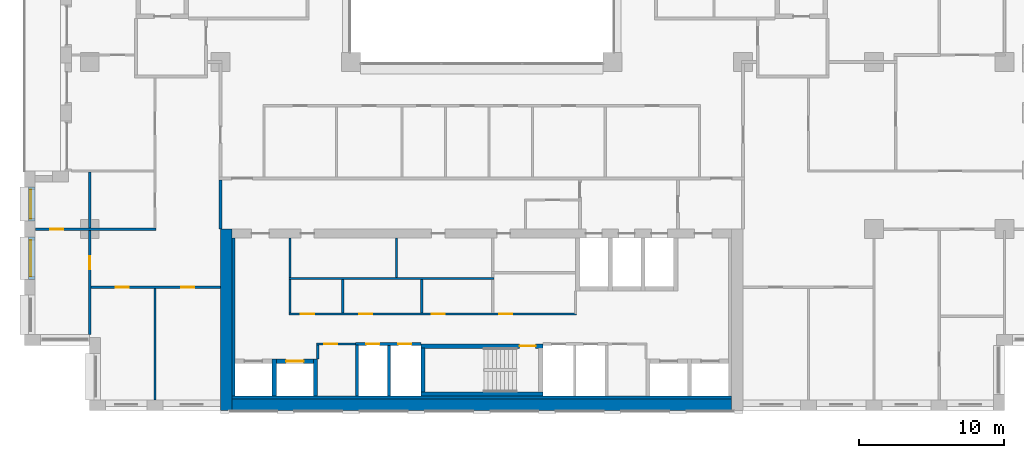
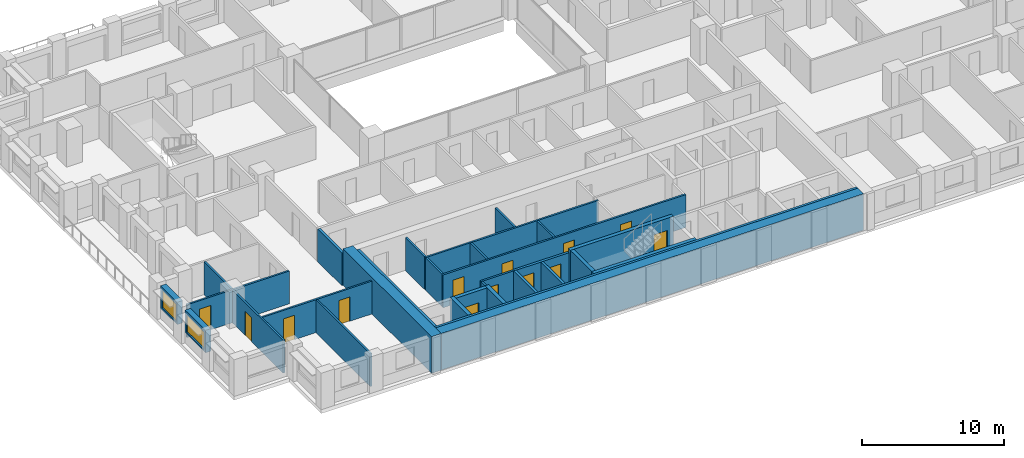
# One storey, part 8 of 16: 30 walls, 13 doors, 2 windows, 15 openings.
"""IFC4 building model written with IfcOpenShell, lengths in metres."""

from ifc_helpers import new_model, si_unit, direction, frame, frame_2d, origin, place, context, subcontext, project, spatial, rectangle, extrude, material, layer, layer_set, type_object, element, fill, save


model = new_model("IFC4")

# Units and contexts
model_context = context("Model", 3, precision=1e-05, world=origin(), true_north=direction((0.0, 1.0)))
body_context = subcontext(model_context, "Body", "Model", "MODEL_VIEW")
ifc_project = project(units=[si_unit("LENGTHUNIT", "METRE"), si_unit("AREAUNIT", "SQUARE_METRE"), si_unit("VOLUMEUNIT", "CUBIC_METRE"), si_unit("PLANEANGLEUNIT", "RADIAN"), si_unit("MASSUNIT", "GRAM", prefix="KILO")], contexts=[model_context])

# Site, building, storey
site_placement = place(None, origin())
site = spatial("IfcSite", under=ifc_project, at=site_placement, CompositionType="ELEMENT")
building_placement = place(site_placement, origin())
building = spatial("IfcBuilding", under=site, at=building_placement, Name="Brigalow Station Residences", CompositionType="ELEMENT")
storey_placement = place(building_placement, frame((0.0, 0.0, 102.449951171875)))
storey = spatial("IfcBuildingStorey", under=building, at=storey_placement, Name="L29", CompositionType="ELEMENT", Elevation=102.449951171875)

# Wall, opening, window
ifc_material_1 = material(Name="Clay brick masonry", Category="masonry")
ifc_layer_1 = layer(ifc_material_1, 0.449951171875)
ifc_layer_set_1 = layer_set([ifc_layer_1], Name="BRICK INFILL WALL 450")
wall_type_1 = type_object("IfcWallType", Name="BRICK INFILL WALL 450", PredefinedType="SOLIDWALL", material=ifc_layer_set_1)
wall_1_placement = place(storey_placement, frame((5.02490234375, 15.39990234375, 0.900146484375), z_axis=(0.0, 0.0, 1.0), x_axis=(0.0, -1.0, 0.0)))
wall_1 = element("IfcWall", 1, at=wall_1_placement, inside=storey, type_object=wall_type_1, Name="L29/ewall/W-L29-47", PredefinedType="SOLIDWALL", context=body_context, shape_type="SweptSolid", body=[
    extrude(rectangle(XDim=2.349853515625, YDim=0.449951171875, at=frame_2d((1.1748046875, 0.0))), origin(), (0.0, 0.0, 1.0), 1.929931640625),
])
opening_1_placement = place(wall_1_placement, frame((0.175048828125, 0.0, 0.14990234375)))
opening_1 = element("IfcOpeningElement", 2, at=opening_1_placement, cuts=wall_1, Name="Opening WT-7", PredefinedType="OPENING", context=body_context, shape_type="SweptSolid", body=[
    extrude(rectangle(XDim=2.0, YDim=1.5, at=frame_2d((1.0, 0.75))), frame((0.0, 0.23486328125, 0.0), z_axis=(0.0, -1.0, 0.0), x_axis=(1.0, 0.0, 0.0)), (0.0, 0.0, 1.0), 0.469970703125),
])
ifc_material_2 = material(Name="Anodised aluminium frame with double glazing", Category="aluminium")
window_type_1 = type_object("IfcWindowType", Name="WINDOW 2000x1500", PartitioningType="SINGLE_PANEL", PredefinedType="WINDOW", material=ifc_material_2)
window_1_placement = place(opening_1_placement, origin())
window_1 = element("IfcWindow", 3, at=window_1_placement, inside=storey, type_object=window_type_1, Name="L29/window/W-L29-47", OverallHeight=1.5, OverallWidth=2.0, PartitioningType="SINGLE_PANEL", PredefinedType="WINDOW", context=body_context, shape_type="SweptSolid", body=[
    extrude(rectangle(XDim=2.0, YDim=1.5, at=frame_2d((1.0, 0.75))), frame((0.0, -0.06494140625, 0.0), z_axis=(0.0, -1.0, 0.0), x_axis=(1.0, 0.0, 0.0)), (0.0, 0.0, 1.0), 0.06005859375),
])
fill(opening_1, window_1)

wall_2_placement = place(storey_placement, frame((5.02490234375, 11.949951171875, 0.900146484375), z_axis=(0.0, 0.0, 1.0), x_axis=(0.0, -1.0, 0.0)))
wall_2 = element("IfcWall", 4, at=wall_2_placement, inside=storey, type_object=wall_type_1, Name="L29/ewall/W-L29-48", PredefinedType="SOLIDWALL", context=body_context, shape_type="SweptSolid", body=[
    extrude(rectangle(XDim=2.89990234375, YDim=0.449951171875, at=frame_2d((1.449951171875, 0.0))), origin(), (0.0, 0.0, 1.0), 1.929931640625),
])
opening_2_placement = place(wall_2_placement, frame((0.199951171875, 0.0, 0.14990234375)))
opening_2 = element("IfcOpeningElement", 5, at=opening_2_placement, cuts=wall_2, Name="Opening WT-5", PredefinedType="OPENING", context=body_context, shape_type="SweptSolid", body=[
    extrude(rectangle(XDim=2.5, YDim=1.5, at=frame_2d((1.25, 0.75))), frame((0.0, 0.23486328125, 0.0), z_axis=(0.0, -1.0, 0.0), x_axis=(1.0, 0.0, 0.0)), (0.0, 0.0, 1.0), 0.469970703125),
])
ifc_material_3 = material(Name="Anodised aluminium frame with double glazing", Category="aluminium")
window_type_2 = type_object("IfcWindowType", Name="WINDOW 2500x1500", PartitioningType="SINGLE_PANEL", PredefinedType="WINDOW", material=ifc_material_3)
window_2_placement = place(opening_2_placement, origin())
window_2 = element("IfcWindow", 6, at=window_2_placement, inside=storey, type_object=window_type_2, Name="L29/window/W-L29-48", OverallHeight=1.5, OverallWidth=2.5, PartitioningType="SINGLE_PANEL", PredefinedType="WINDOW", context=body_context, shape_type="SweptSolid", body=[
    extrude(rectangle(XDim=2.5, YDim=1.5, at=frame_2d((1.25, 0.75))), frame((0.0, -0.06494140625, 0.0), z_axis=(0.0, -1.0, 0.0), x_axis=(1.0, 0.0, 0.0)), (0.0, 0.0, 1.0), 0.06005859375),
])
fill(opening_2, window_2)

# Walls
ifc_material_4 = material(Name="Concrete C65", Category="concrete")
ifc_layer_2 = layer(ifc_material_4, 0.199951171875)
ifc_layer_set_2 = layer_set([ifc_layer_2], Name="CORE SHEAR WALL 200 C65")
wall_type_2 = type_object("IfcWallType", Name="CORE SHEAR WALL 200 C65", PredefinedType="SHEAR", material=ifc_layer_set_2)
wall_3_placement = place(storey_placement, frame((18.89990234375, 1.0, 0.0), z_axis=(0.0, 0.0, 1.0), x_axis=(0.0, 1.0, 0.0)))
element("IfcWall", 7, at=wall_3_placement, inside=storey, type_object=wall_type_2, Name="CORE WALL LIN-W L29", PredefinedType="SHEAR", context=body_context, shape_type="SweptSolid", body=[
    extrude(rectangle(XDim=10.89990234375, YDim=0.199951171875, at=frame_2d((5.449951171875, 0.0))), origin(), (0.0, 0.0, 1.0), 3.150146484375),
])
wall_4_placement = place(storey_placement, frame((18.800048828125, 0.89990234375, 0.0), z_axis=(0.0, 0.0, 1.0), x_axis=(1.0, 0.0, 0.0)))
element("IfcWall", 8, at=wall_4_placement, inside=storey, type_object=wall_type_2, Name="CORE WALL LIN-S L29", PredefinedType="SHEAR", context=body_context, shape_type="SweptSolid", body=[
    extrude(rectangle(XDim=34.39990234375, YDim=0.199951171875, at=frame_2d((17.199951171875, 0.0))), origin(), (0.0, 0.0, 1.0), 3.150146484375),
])

# Wall, opening, door
ifc_material_5 = material(Name="Concrete C65", Category="concrete")
ifc_layer_3 = layer(ifc_material_5, 0.300048828125)
ifc_layer_set_3 = layer_set([ifc_layer_3], Name="CORE SHEAR WALL 300 C65")
wall_type_3 = type_object("IfcWallType", Name="CORE SHEAR WALL 300 C65", PredefinedType="SHEAR", material=ifc_layer_set_3)
wall_5_placement = place(storey_placement, frame((21.85009765625, 3.39990234375, 0.0), z_axis=(0.0, 0.0, 1.0), x_axis=(1.0, 0.0, 0.0)))
wall_5 = element("IfcWall", 9, at=wall_5_placement, inside=storey, type_object=wall_type_3, Name="CORE WALL SH-C2-N L29", PredefinedType="SHEAR", context=body_context, shape_type="SweptSolid", body=[
    extrude(rectangle(XDim=2.5498046875, YDim=0.300048828125, at=frame_2d((1.27490234375, 0.0))), origin(), (0.0, 0.0, 1.0), 3.150146484375),
])
opening_3_placement = place(wall_5_placement, frame((0.675048828125, 0.0, 0.0)))
opening_3 = element("IfcOpeningElement", 10, at=opening_3_placement, cuts=wall_5, Name="Opening LD-LB2", PredefinedType="OPENING", context=body_context, shape_type="SweptSolid", body=[
    extrude(rectangle(XDim=1.199951171875, YDim=2.10009765625, at=frame_2d((0.60009765625, 1.050048828125))), frame((0.0, 0.16015625, 0.0), z_axis=(0.0, -1.0, 0.0), x_axis=(1.0, 0.0, 0.0)), (0.0, 0.0, 1.0), 0.320068359375),
])
ifc_material_6 = material(Name="Stainless steel sliding door leaves", Category="steel")
door_type_1 = type_object("IfcDoorType", Name="LIFT LANDING DOOR 1200 x 2100", OperationType="DOUBLE_DOOR_SLIDING", PredefinedType="DOOR", material=ifc_material_6)
door_1_placement = place(opening_3_placement, origin())
door_1 = element("IfcDoor", 11, at=door_1_placement, inside=storey, type_object=door_type_1, Name="LANDING DOOR LB2", OperationType="DOUBLE_DOOR_SLIDING", OverallHeight=2.10009765625, OverallWidth=1.199951171875, PredefinedType="DOOR", context=body_context, shape_type="SweptSolid", body=[
    extrude(rectangle(XDim=1.199951171875, YDim=2.10009765625, at=frame_2d((0.60009765625, 1.050048828125))), frame((0.0, 0.02490234375, 0.0), z_axis=(0.0, -1.0, 0.0), x_axis=(1.0, 0.0, 0.0)), (0.0, 0.0, 1.0), 0.050048828125),
])
fill(opening_3, door_1)

# Walls
for number, where, z_axis, x_axis, name in (
    (12, (21.699951171875, 1.0, 0.0), (0.0, 0.0, 1.0), (0.0, 1.0, 0.0), "CORE WALL SH-C2-W L29"),
    (13, (24.550048828125, 1.0, 0.0), (0.0, 0.0, 1.0), (0.0, 1.0, 0.0), "CORE WALL SH-C2-E L29"),
):
    element("IfcWall", number, at=place(storey_placement, frame(where, z_axis=z_axis, x_axis=x_axis)), inside=storey, type_object=wall_type_3, Name=name, PredefinedType="SHEAR", context=body_context, shape_type="SweptSolid", body=[
        extrude(rectangle(XDim=2.550048828125, YDim=0.300048828125, at=frame_2d((1.27490234375, 0.0))), origin(), (0.0, 0.0, 1.0), 3.150146484375),
    ])
wall_6_placement = place(storey_placement, frame((31.800048828125, 1.14990234375, 0.0), z_axis=(0.0, 0.0, 1.0), x_axis=(1.0, 0.0, 0.0)))
element("IfcWall", 14, at=wall_6_placement, inside=storey, type_object=wall_type_3, Name="CORE WALL ST-S2-S L29", PredefinedType="SHEAR", context=body_context, shape_type="SweptSolid", body=[
    extrude(rectangle(XDim=8.39990234375, YDim=0.300048828125, at=frame_2d((4.199951171875, 0.0))), origin(), (0.0, 0.0, 1.0), 3.150146484375),
])

# Wall, opening, door
wall_7_placement = place(storey_placement, frame((31.800048828125, 4.449951171875, 0.0), z_axis=(0.0, 0.0, 1.0), x_axis=(1.0, 0.0, 0.0)))
wall_7 = element("IfcWall", 15, at=wall_7_placement, inside=storey, type_object=wall_type_3, Name="CORE WALL ST-S2-N L29", PredefinedType="SHEAR", context=body_context, shape_type="SweptSolid", body=[
    extrude(rectangle(XDim=8.39990234375, YDim=0.300048828125, at=frame_2d((4.199951171875, 0.0))), origin(), (0.0, 0.0, 1.0), 3.150146484375),
])
opening_4_placement = place(wall_7_placement, frame((6.800048828125, 0.0, 0.0)))
opening_4 = element("IfcOpeningElement", 16, at=opening_4_placement, cuts=wall_7, Name="Opening D-5001", PredefinedType="OPENING", context=body_context, shape_type="SweptSolid", body=[
    extrude(rectangle(XDim=1.10009765625, YDim=2.10009765625, at=frame_2d((0.550048828125, 1.050048828125))), frame((0.0, 0.16015625, 0.0), z_axis=(0.0, -1.0, 0.0), x_axis=(1.0, 0.0, 0.0)), (0.0, 0.0, 1.0), 0.320068359375),
])
ifc_material_7 = material(Name="Steel fire door leaf in steel frame", Category="steel")
door_type_2 = type_object("IfcDoorType", Name="STAIR DOOR 1100 x 2100 FD60S", OperationType="SINGLE_SWING_LEFT", PredefinedType="DOOR", material=ifc_material_7)
door_2_placement = place(opening_4_placement, frame((1.10009765625, 0.0, 0.0), z_axis=(0.0, 0.0, 1.0), x_axis=(-1.0, 0.0, 0.0)))
door_2 = element("IfcDoor", 17, at=door_2_placement, inside=storey, type_object=door_type_2, Name="D-5001", OperationType="SINGLE_SWING_LEFT", OverallHeight=2.10009765625, OverallWidth=1.10009765625, PredefinedType="DOOR", context=body_context, shape_type="SweptSolid", body=[
    extrude(rectangle(XDim=1.10009765625, YDim=2.10009765625, at=frame_2d((0.550048828125, 1.050048828125))), frame((0.0, 0.02490234375, 0.0), z_axis=(0.0, -1.0, 0.0), x_axis=(1.0, 0.0, 0.0)), (0.0, 0.0, 1.0), 0.050048828125),
])
fill(opening_4, door_2)

# Walls
wall_8_placement = place(storey_placement, frame((31.949951171875, 1.300048828125, 0.0), z_axis=(0.0, 0.0, 1.0), x_axis=(0.0, 1.0, 0.0)))
element("IfcWall", 18, at=wall_8_placement, inside=storey, type_object=wall_type_3, Name="CORE WALL ST-S2-W L29", PredefinedType="SHEAR", context=body_context, shape_type="SweptSolid", body=[
    extrude(rectangle(XDim=3.0, YDim=0.300048828125, at=frame_2d((1.5, 0.0))), origin(), (0.0, 0.0, 1.0), 3.150146484375),
])
ifc_material_8 = material(Name="Concrete C65", Category="concrete")
ifc_layer_4 = layer(ifc_material_8, 0.800048828125)
ifc_layer_set_4 = layer_set([ifc_layer_4], Name="CORE SHEAR WALL 800 C65")
wall_type_4 = type_object("IfcWallType", Name="CORE SHEAR WALL 800 C65", PredefinedType="SHEAR", material=ifc_layer_set_4)
wall_9_placement = place(storey_placement, frame((18.39990234375, 0.0, 0.0), z_axis=(0.0, 0.0, 1.0), x_axis=(0.0, 1.0, 0.0)))
element("IfcWall", 19, at=wall_9_placement, inside=storey, type_object=wall_type_4, Name="CORE WALL OUT-W L29", PredefinedType="SHEAR", context=body_context, shape_type="SweptSolid", body=[
    extrude(rectangle(XDim=12.5, YDim=0.800048828125, at=frame_2d((6.25, 0.0))), origin(), (0.0, 0.0, 1.0), 3.150146484375),
])
wall_10_placement = place(storey_placement, frame((18.800048828125, 0.39990234375, 0.0), z_axis=(0.0, 0.0, 1.0), x_axis=(1.0, 0.0, 0.0)))
element("IfcWall", 20, at=wall_10_placement, inside=storey, type_object=wall_type_4, Name="CORE WALL OUT-S L29", PredefinedType="SHEAR", context=body_context, shape_type="SweptSolid", body=[
    extrude(rectangle(XDim=34.39990234375, YDim=0.800048828125, at=frame_2d((17.199951171875, 0.0))), origin(), (0.0, 0.0, 1.0), 3.150146484375),
])

# Wall, openings, doors
ifc_material_9 = material(Name="Concrete blockwork", Category="masonry")
ifc_layer_5 = layer(ifc_material_9, 0.199951171875)
ifc_layer_set_5 = layer_set([ifc_layer_5], Name="FIRE RATED CORE PARTITION 200")
wall_type_5 = type_object("IfcWallType", Name="FIRE RATED CORE PARTITION 200", PredefinedType="PARTITIONING", material=ifc_layer_set_5)
wall_11_placement = place(storey_placement, frame((27.300048828125, 4.60009765625, 0.0), z_axis=(0.0, 0.0, 1.0), x_axis=(1.0, 0.0, 0.0)))
wall_11 = element("IfcWall", 21, at=wall_11_placement, inside=storey, type_object=wall_type_5, Name="PW-5017", PredefinedType="PARTITIONING", context=body_context, shape_type="SweptSolid", body=[
    extrude(rectangle(XDim=4.5, YDim=0.199951171875, at=frame_2d((2.25, 0.0))), origin(), (0.0, 0.0, 1.0), 2.830078125),
])
opening_5_placement = place(wall_11_placement, frame((0.75, 0.0, 0.0)))
opening_5 = element("IfcOpeningElement", 22, at=opening_5_placement, cuts=wall_11, Name="Opening D-5007", PredefinedType="OPENING", context=body_context, shape_type="SweptSolid", body=[
    extrude(rectangle(XDim=0.89990234375, YDim=2.10009765625, at=frame_2d((0.449951171875, 1.050048828125))), frame((0.0, 0.10986328125, 0.0), z_axis=(0.0, -1.0, 0.0), x_axis=(1.0, 0.0, 0.0)), (0.0, 0.0, 1.0), 0.219970703125),
])
opening_6_placement = place(wall_11_placement, frame((2.949951171875, 0.0, 0.0)))
opening_6 = element("IfcOpeningElement", 23, at=opening_6_placement, cuts=wall_11, Name="Opening D-5008", PredefinedType="OPENING", context=body_context, shape_type="SweptSolid", body=[
    extrude(rectangle(XDim=0.89990234375, YDim=2.10009765625, at=frame_2d((0.449951171875, 1.050048828125))), frame((0.0, 0.10986328125, 0.0), z_axis=(0.0, -1.0, 0.0), x_axis=(1.0, 0.0, 0.0)), (0.0, 0.0, 1.0), 0.219970703125),
])
ifc_material_10 = material(Name="Steel fire door leaf in steel frame", Category="steel")
door_type_3 = type_object("IfcDoorType", Name="RISER ACCESS DOOR 900 x 2100 FD120", OperationType="SINGLE_SWING_LEFT", PredefinedType="DOOR", material=ifc_material_10)
door_3_placement = place(opening_5_placement, frame((0.89990234375, 0.0, 0.0), z_axis=(0.0, 0.0, 1.0), x_axis=(-1.0, 0.0, 0.0)))
door_3 = element("IfcDoor", 24, at=door_3_placement, inside=storey, type_object=door_type_3, Name="D-5007", OperationType="SINGLE_SWING_RIGHT", OverallHeight=2.10009765625, OverallWidth=0.89990234375, PredefinedType="DOOR", context=body_context, shape_type="SweptSolid", body=[
    extrude(rectangle(XDim=0.89990234375, YDim=2.10009765625, at=frame_2d((0.449951171875, 1.050048828125))), frame((0.0, 0.02490234375, 0.0), z_axis=(0.0, -1.0, 0.0), x_axis=(1.0, 0.0, 0.0)), (0.0, 0.0, 1.0), 0.050048828125),
])
fill(opening_5, door_3)
door_4_placement = place(opening_6_placement, frame((0.89990234375, 0.0, 0.0), z_axis=(0.0, 0.0, 1.0), x_axis=(-1.0, 0.0, 0.0)))
door_4 = element("IfcDoor", 25, at=door_4_placement, inside=storey, type_object=door_type_3, Name="D-5008", OperationType="SINGLE_SWING_RIGHT", OverallHeight=2.10009765625, OverallWidth=0.89990234375, PredefinedType="DOOR", context=body_context, shape_type="SweptSolid", body=[
    extrude(rectangle(XDim=0.89990234375, YDim=2.10009765625, at=frame_2d((0.449951171875, 1.050048828125))), frame((0.0, 0.02490234375, 0.0), z_axis=(0.0, -1.0, 0.0), x_axis=(1.0, 0.0, 0.0)), (0.0, 0.0, 1.0), 0.050048828125),
])
fill(opening_6, door_4)

# Walls
wall_12_placement = place(storey_placement, frame((27.39990234375, 1.0, 0.0), z_axis=(0.0, 0.0, 1.0), x_axis=(0.0, 1.0, 0.0)))
element("IfcWall", 26, at=wall_12_placement, inside=storey, type_object=wall_type_5, Name="PW-5027", PredefinedType="PARTITIONING", context=body_context, shape_type="SweptSolid", body=[
    extrude(rectangle(XDim=3.52490234375, YDim=0.199951171875, at=frame_2d((1.762451171875, 0.0))), origin(), (0.0, 0.0, 1.0), 2.830078125),
])
wall_13_placement = place(storey_placement, frame((29.60009765625, 1.0, 0.0), z_axis=(0.0, 0.0, 1.0), x_axis=(0.0, 1.0, 0.0)))
element("IfcWall", 27, at=wall_13_placement, inside=storey, type_object=wall_type_5, Name="PW-5006", PredefinedType="PARTITIONING", context=body_context, shape_type="SweptSolid", body=[
    extrude(rectangle(XDim=3.5, YDim=0.199951171875, at=frame_2d((1.75, 0.0))), origin(), (0.0, 0.0, 1.0), 2.830078125),
])
wall_14_placement = place(storey_placement, frame((18.0, 12.5, 0.0), z_axis=(0.0, 0.0, 1.0), x_axis=(0.0, 1.0, 0.0)))
element("IfcWall", 28, at=wall_14_placement, inside=storey, type_object=wall_type_5, Name="PW-5013", PredefinedType="PARTITIONING", context=body_context, shape_type="SweptSolid", body=[
    extrude(rectangle(XDim=3.39990234375, YDim=0.199951171875, at=frame_2d((1.699951171875, 0.0))), origin(), (0.0, 0.0, 1.0), 2.830078125),
])

# Wall, opening, door
ifc_material_11 = material(Name="Plasterboard on steel stud partition", Category="steel")
ifc_layer_6 = layer(ifc_material_11, 0.14990234375)
ifc_layer_set_6 = layer_set([ifc_layer_6], Name="FLAT PARTITION 150")
wall_type_6 = type_object("IfcWallType", Name="FLAT PARTITION 150", PredefinedType="PARTITIONING", material=ifc_layer_set_6)
wall_15_placement = place(storey_placement, frame((5.25, 12.5, 0.0), z_axis=(0.0, 0.0, 1.0), x_axis=(1.0, 0.0, 0.0)))
wall_15 = element("IfcWall", 29, at=wall_15_placement, inside=storey, type_object=wall_type_6, Name="PW-2C11", PredefinedType="PARTITIONING", context=body_context, shape_type="SweptSolid", body=[
    extrude(rectangle(XDim=8.324951171875, YDim=0.14990234375, at=frame_2d((4.16259765625, 0.0))), origin(), (0.0, 0.0, 1.0), 2.830078125),
])
opening_7_placement = place(wall_15_placement, frame((1.02490234375, 0.0, 0.0)))
opening_7 = element("IfcOpeningElement", 30, at=opening_7_placement, cuts=wall_15, Name="Opening D-2C05", PredefinedType="OPENING", context=body_context, shape_type="SweptSolid", body=[
    extrude(rectangle(XDim=0.89990234375, YDim=2.10009765625, at=frame_2d((0.449951171875, 1.050048828125))), frame((0.0, 0.0849609375, 0.0), z_axis=(0.0, -1.0, 0.0), x_axis=(1.0, 0.0, 0.0)), (0.0, 0.0, 1.0), 0.169921875),
])
ifc_material_12 = material(Name="Solid-core timber door leaf", Category="wood")
door_type_4 = type_object("IfcDoorType", Name="INTERNAL DOOR 900 x 2100", OperationType="SINGLE_SWING_LEFT", PredefinedType="DOOR", material=ifc_material_12)
door_5_placement = place(opening_7_placement, origin())
door_5 = element("IfcDoor", 31, at=door_5_placement, inside=storey, type_object=door_type_4, Name="D-2C05", OperationType="SINGLE_SWING_LEFT", OverallHeight=2.10009765625, OverallWidth=0.89990234375, PredefinedType="DOOR", context=body_context, shape_type="SweptSolid", body=[
    extrude(rectangle(XDim=0.89990234375, YDim=2.10009765625, at=frame_2d((0.449951171875, 1.050048828125))), frame((0.0, 0.02490234375, 0.0), z_axis=(0.0, -1.0, 0.0), x_axis=(1.0, 0.0, 0.0)), (0.0, 0.0, 1.0), 0.050048828125),
])
fill(opening_7, door_5)

# Wall, openings, doors
wall_16_placement = place(storey_placement, frame((9.074951171875, 8.5, 0.0), z_axis=(0.0, 0.0, 1.0), x_axis=(1.0, 0.0, 0.0)))
wall_16 = element("IfcWall", 32, at=wall_16_placement, inside=storey, type_object=wall_type_6, Name="PW-2C15", PredefinedType="PARTITIONING", context=body_context, shape_type="SweptSolid", body=[
    extrude(rectangle(XDim=8.925048828125, YDim=0.14990234375, at=frame_2d((4.46240234375, 0.0))), origin(), (0.0, 0.0, 1.0), 2.830078125),
])
opening_8_placement = place(wall_16_placement, frame((1.72509765625, 0.0, 0.0)))
opening_8 = element("IfcOpeningElement", 33, at=opening_8_placement, cuts=wall_16, Name="Opening D-2C06", PredefinedType="OPENING", context=body_context, shape_type="SweptSolid", body=[
    extrude(rectangle(XDim=0.89990234375, YDim=2.10009765625, at=frame_2d((0.449951171875, 1.050048828125))), frame((0.0, 0.0849609375, 0.0), z_axis=(0.0, -1.0, 0.0), x_axis=(1.0, 0.0, 0.0)), (0.0, 0.0, 1.0), 0.169921875),
])
opening_9_placement = place(wall_16_placement, frame((6.22509765625, 0.0, 0.0)))
opening_9 = element("IfcOpeningElement", 34, at=opening_9_placement, cuts=wall_16, Name="Opening D-2C07", PredefinedType="OPENING", context=body_context, shape_type="SweptSolid", body=[
    extrude(rectangle(XDim=0.89990234375, YDim=2.10009765625, at=frame_2d((0.449951171875, 1.050048828125))), frame((0.0, 0.0849609375, 0.0), z_axis=(0.0, -1.0, 0.0), x_axis=(1.0, 0.0, 0.0)), (0.0, 0.0, 1.0), 0.169921875),
])
door_6_placement = place(opening_8_placement, frame((0.89990234375, 0.0, 0.0), z_axis=(0.0, 0.0, 1.0), x_axis=(-1.0, 0.0, 0.0)))
door_6 = element("IfcDoor", 35, at=door_6_placement, inside=storey, type_object=door_type_4, Name="D-2C06", OperationType="SINGLE_SWING_LEFT", OverallHeight=2.10009765625, OverallWidth=0.89990234375, PredefinedType="DOOR", context=body_context, shape_type="SweptSolid", body=[
    extrude(rectangle(XDim=0.89990234375, YDim=2.10009765625, at=frame_2d((0.449951171875, 1.050048828125))), frame((0.0, 0.02490234375, 0.0), z_axis=(0.0, -1.0, 0.0), x_axis=(1.0, 0.0, 0.0)), (0.0, 0.0, 1.0), 0.050048828125),
])
fill(opening_8, door_6)
door_7_placement = place(opening_9_placement, frame((0.89990234375, 0.0, 0.0), z_axis=(0.0, 0.0, 1.0), x_axis=(-1.0, 0.0, 0.0)))
door_7 = element("IfcDoor", 36, at=door_7_placement, inside=storey, type_object=door_type_4, Name="D-2C07", OperationType="SINGLE_SWING_RIGHT", OverallHeight=2.10009765625, OverallWidth=0.89990234375, PredefinedType="DOOR", context=body_context, shape_type="SweptSolid", body=[
    extrude(rectangle(XDim=0.89990234375, YDim=2.10009765625, at=frame_2d((0.449951171875, 1.050048828125))), frame((0.0, 0.02490234375, 0.0), z_axis=(0.0, -1.0, 0.0), x_axis=(1.0, 0.0, 0.0)), (0.0, 0.0, 1.0), 0.050048828125),
])
fill(opening_9, door_7)

# Wall, opening, door
wall_17_placement = place(storey_placement, frame((9.0, 5.25, 0.0), z_axis=(0.0, 0.0, 1.0), x_axis=(0.0, 1.0, 0.0)))
wall_17 = element("IfcWall", 37, at=wall_17_placement, inside=storey, type_object=wall_type_6, Name="PW-2C44", PredefinedType="PARTITIONING", context=body_context, shape_type="SweptSolid", body=[
    extrude(rectangle(XDim=7.175048828125, YDim=0.14990234375, at=frame_2d((3.58740234375, 0.0))), origin(), (0.0, 0.0, 1.0), 2.830078125),
])
opening_10_placement = place(wall_17_placement, frame((4.47509765625, 0.0, 0.0)))
opening_10 = element("IfcOpeningElement", 38, at=opening_10_placement, cuts=wall_17, Name="Opening D-2C04", PredefinedType="OPENING", context=body_context, shape_type="SweptSolid", body=[
    extrude(rectangle(XDim=0.89990234375, YDim=2.10009765625, at=frame_2d((0.449951171875, 1.050048828125))), frame((0.0, 0.0849609375, 0.0), z_axis=(0.0, -1.0, 0.0), x_axis=(1.0, 0.0, 0.0)), (0.0, 0.0, 1.0), 0.169921875),
])
door_8_placement = place(opening_10_placement, origin())
door_8 = element("IfcDoor", 39, at=door_8_placement, inside=storey, type_object=door_type_4, Name="D-2C04", OperationType="SINGLE_SWING_RIGHT", OverallHeight=2.10009765625, OverallWidth=0.89990234375, PredefinedType="DOOR", context=body_context, shape_type="SweptSolid", body=[
    extrude(rectangle(XDim=0.89990234375, YDim=2.10009765625, at=frame_2d((0.449951171875, 1.050048828125))), frame((0.0, 0.02490234375, 0.0), z_axis=(0.0, -1.0, 0.0), x_axis=(1.0, 0.0, 0.0)), (0.0, 0.0, 1.0), 0.050048828125),
])
fill(opening_10, door_8)

# Walls
wall_18_placement = place(storey_placement, frame((9.0, 12.574951171875, 0.0), z_axis=(0.0, 0.0, 1.0), x_axis=(0.0, 1.0, 0.0)))
element("IfcWall", 40, at=wall_18_placement, inside=storey, type_object=wall_type_6, Name="PW-2C45", PredefinedType="PARTITIONING", context=body_context, shape_type="SweptSolid", body=[
    extrude(rectangle(XDim=3.85009765625, YDim=0.14990234375, at=frame_2d((1.925048828125, 0.0))), origin(), (0.0, 0.0, 1.0), 2.830078125),
])
wall_19_placement = place(storey_placement, frame((13.5, 0.75, 0.0), z_axis=(0.0, 0.0, 1.0), x_axis=(0.0, 1.0, 0.0)))
element("IfcWall", 41, at=wall_19_placement, inside=storey, type_object=wall_type_6, Name="PW-2C46", PredefinedType="PARTITIONING", context=body_context, shape_type="SweptSolid", body=[
    extrude(rectangle(XDim=7.675048828125, YDim=0.14990234375, at=frame_2d((3.83740234375, 0.0))), origin(), (0.0, 0.0, 1.0), 2.830078125),
])

# Wall, opening, door
ifc_material_13 = material(Name="Plasterboard on steel studs", Category="steel")
ifc_layer_7 = layer(ifc_material_13, 0.14990234375)
ifc_layer_set_7 = layer_set([ifc_layer_7], Name="SERVICE ROOM PARTITION 150")
wall_type_7 = type_object("IfcWallType", Name="SERVICE ROOM PARTITION 150", PredefinedType="PARTITIONING", material=ifc_layer_set_7)
wall_20_placement = place(storey_placement, frame((24.625, 4.60009765625, 0.0), z_axis=(0.0, 0.0, 1.0), x_axis=(1.0, 0.0, 0.0)))
wall_20 = element("IfcWall", 42, at=wall_20_placement, inside=storey, type_object=wall_type_7, Name="PW-5155", PredefinedType="PARTITIONING", context=body_context, shape_type="SweptSolid", body=[
    extrude(rectangle(XDim=2.675048828125, YDim=0.14990234375, at=frame_2d((1.33740234375, 0.0))), origin(), (0.0, 0.0, 1.0), 2.830078125),
])
opening_11_placement = place(wall_20_placement, frame((0.52490234375, 0.0, 0.0)))
opening_11 = element("IfcOpeningElement", 43, at=opening_11_placement, cuts=wall_20, Name="Opening D-5087", PredefinedType="OPENING", context=body_context, shape_type="SweptSolid", body=[
    extrude(rectangle(XDim=0.89990234375, YDim=2.10009765625, at=frame_2d((0.449951171875, 1.050048828125))), frame((0.0, 0.0849609375, 0.0), z_axis=(0.0, -1.0, 0.0), x_axis=(1.0, 0.0, 0.0)), (0.0, 0.0, 1.0), 0.169921875),
])
ifc_material_14 = material(Name="Steel door leaf in steel frame", Category="steel")
door_type_5 = type_object("IfcDoorType", Name="SERVICE ROOM DOOR 900 x 2100 FD60", OperationType="SINGLE_SWING_LEFT", PredefinedType="DOOR", material=ifc_material_14)
door_9_placement = place(opening_11_placement, frame((0.89990234375, 0.0, 0.0), z_axis=(0.0, 0.0, 1.0), x_axis=(-1.0, 0.0, 0.0)))
door_9 = element("IfcDoor", 44, at=door_9_placement, inside=storey, type_object=door_type_5, Name="D-5087", OperationType="SINGLE_SWING_RIGHT", OverallHeight=2.10009765625, OverallWidth=0.89990234375, PredefinedType="DOOR", context=body_context, shape_type="SweptSolid", body=[
    extrude(rectangle(XDim=0.89990234375, YDim=2.10009765625, at=frame_2d((0.449951171875, 1.050048828125))), frame((0.0, 0.02490234375, 0.0), z_axis=(0.0, -1.0, 0.0), x_axis=(1.0, 0.0, 0.0)), (0.0, 0.0, 1.0), 0.050048828125),
])
fill(opening_11, door_9)

# Wall, openings, doors
wall_21_placement = place(storey_placement, frame((22.72509765625, 6.64990234375, 0.0), z_axis=(0.0, 0.0, 1.0), x_axis=(1.0, 0.0, 0.0)))
wall_21 = element("IfcWall", 45, at=wall_21_placement, inside=storey, type_object=wall_type_7, Name="PW-5195", PredefinedType="PARTITIONING", context=body_context, shape_type="SweptSolid", body=[
    extrude(rectangle(XDim=19.7998046875, YDim=0.14990234375, at=frame_2d((9.89990234375, 0.0))), origin(), (0.0, 0.0, 1.0), 2.830078125),
])
opening_12_placement = place(wall_21_placement, frame((0.824951171875, 0.0, 0.0)))
opening_12 = element("IfcOpeningElement", 46, at=opening_12_placement, cuts=wall_21, Name="Opening D-5110", PredefinedType="OPENING", context=body_context, shape_type="SweptSolid", body=[
    extrude(rectangle(XDim=0.89990234375, YDim=2.10009765625, at=frame_2d((0.449951171875, 1.050048828125))), frame((0.0, 0.0849609375, 0.0), z_axis=(0.0, -1.0, 0.0), x_axis=(1.0, 0.0, 0.0)), (0.0, 0.0, 1.0), 0.169921875),
])
opening_13_placement = place(wall_21_placement, frame((4.824951171875, 0.0, 0.0)))
opening_13 = element("IfcOpeningElement", 47, at=opening_13_placement, cuts=wall_21, Name="Opening D-5116", PredefinedType="OPENING", context=body_context, shape_type="SweptSolid", body=[
    extrude(rectangle(XDim=0.89990234375, YDim=2.10009765625, at=frame_2d((0.449951171875, 1.050048828125))), frame((0.0, 0.0849609375, 0.0), z_axis=(0.0, -1.0, 0.0), x_axis=(1.0, 0.0, 0.0)), (0.0, 0.0, 1.0), 0.169921875),
])
opening_14_placement = place(wall_21_placement, frame((9.824951171875, 0.0, 0.0)))
opening_14 = element("IfcOpeningElement", 48, at=opening_14_placement, cuts=wall_21, Name="Opening D-5117", PredefinedType="OPENING", context=body_context, shape_type="SweptSolid", body=[
    extrude(rectangle(XDim=0.89990234375, YDim=2.10009765625, at=frame_2d((0.449951171875, 1.050048828125))), frame((0.0, 0.0849609375, 0.0), z_axis=(0.0, -1.0, 0.0), x_axis=(1.0, 0.0, 0.0)), (0.0, 0.0, 1.0), 0.169921875),
])
opening_15_placement = place(wall_21_placement, frame((14.47509765625, 0.0, 0.0)))
opening_15 = element("IfcOpeningElement", 49, at=opening_15_placement, cuts=wall_21, Name="Opening D-5114", PredefinedType="OPENING", context=body_context, shape_type="SweptSolid", body=[
    extrude(rectangle(XDim=0.89990234375, YDim=2.10009765625, at=frame_2d((0.449951171875, 1.050048828125))), frame((0.0, 0.0849609375, 0.0), z_axis=(0.0, -1.0, 0.0), x_axis=(1.0, 0.0, 0.0)), (0.0, 0.0, 1.0), 0.169921875),
])
door_10_placement = place(opening_12_placement, origin())
door_10 = element("IfcDoor", 50, at=door_10_placement, inside=storey, type_object=door_type_5, Name="D-5110", OperationType="SINGLE_SWING_LEFT", OverallHeight=2.10009765625, OverallWidth=0.89990234375, PredefinedType="DOOR", context=body_context, shape_type="SweptSolid", body=[
    extrude(rectangle(XDim=0.89990234375, YDim=2.10009765625, at=frame_2d((0.449951171875, 1.050048828125))), frame((0.0, 0.02490234375, 0.0), z_axis=(0.0, -1.0, 0.0), x_axis=(1.0, 0.0, 0.0)), (0.0, 0.0, 1.0), 0.050048828125),
])
fill(opening_12, door_10)
door_11_placement = place(opening_13_placement, origin())
door_11 = element("IfcDoor", 51, at=door_11_placement, inside=storey, type_object=door_type_5, Name="D-5116", OperationType="SINGLE_SWING_LEFT", OverallHeight=2.10009765625, OverallWidth=0.89990234375, PredefinedType="DOOR", context=body_context, shape_type="SweptSolid", body=[
    extrude(rectangle(XDim=0.89990234375, YDim=2.10009765625, at=frame_2d((0.449951171875, 1.050048828125))), frame((0.0, 0.02490234375, 0.0), z_axis=(0.0, -1.0, 0.0), x_axis=(1.0, 0.0, 0.0)), (0.0, 0.0, 1.0), 0.050048828125),
])
fill(opening_13, door_11)
door_12_placement = place(opening_14_placement, origin())
door_12 = element("IfcDoor", 52, at=door_12_placement, inside=storey, type_object=door_type_5, Name="D-5117", OperationType="SINGLE_SWING_LEFT", OverallHeight=2.10009765625, OverallWidth=0.89990234375, PredefinedType="DOOR", context=body_context, shape_type="SweptSolid", body=[
    extrude(rectangle(XDim=0.89990234375, YDim=2.10009765625, at=frame_2d((0.449951171875, 1.050048828125))), frame((0.0, 0.02490234375, 0.0), z_axis=(0.0, -1.0, 0.0), x_axis=(1.0, 0.0, 0.0)), (0.0, 0.0, 1.0), 0.050048828125),
])
fill(opening_14, door_12)
door_13_placement = place(opening_15_placement, origin())
door_13 = element("IfcDoor", 53, at=door_13_placement, inside=storey, type_object=door_type_5, Name="D-5114", OperationType="SINGLE_SWING_LEFT", OverallHeight=2.10009765625, OverallWidth=0.89990234375, PredefinedType="DOOR", context=body_context, shape_type="SweptSolid", body=[
    extrude(rectangle(XDim=0.89990234375, YDim=2.10009765625, at=frame_2d((0.449951171875, 1.050048828125))), frame((0.0, 0.02490234375, 0.0), z_axis=(0.0, -1.0, 0.0), x_axis=(1.0, 0.0, 0.0)), (0.0, 0.0, 1.0), 0.050048828125),
])
fill(opening_15, door_13)

# Walls
wall_22_placement = place(storey_placement, frame((22.72509765625, 9.110107421875, 0.0), z_axis=(0.0, 0.0, 1.0), x_axis=(1.0, 0.0, 0.0)))
element("IfcWall", 54, at=wall_22_placement, inside=storey, type_object=wall_type_7, Name="PW-5214", PredefinedType="PARTITIONING", context=body_context, shape_type="SweptSolid", body=[
    extrude(rectangle(XDim=14.099853515625, YDim=0.14990234375, at=frame_2d((7.0498046875, 0.0))), origin(), (0.0, 0.0, 1.0), 2.830078125),
])
wall_23_placement = place(storey_placement, frame((24.699951171875, 3.550048828125, 0.0), z_axis=(0.0, 0.0, 1.0), x_axis=(0.0, 1.0, 0.0)))
element("IfcWall", 55, at=wall_23_placement, inside=storey, type_object=wall_type_7, Name="PW-5157", PredefinedType="PARTITIONING", context=body_context, shape_type="SweptSolid", body=[
    extrude(rectangle(XDim=0.974853515625, YDim=0.14990234375, at=frame_2d((0.4873046875, 0.0))), origin(), (0.0, 0.0, 1.0), 2.830078125),
])
for number, where, z_axis, x_axis, name in (
    (56, (22.800048828125, 6.72509765625, 0.0), (0.0, 0.0, 1.0), (0.0, 1.0, 0.0), "PW-5216"),
    (57, (26.429931640625, 6.72509765625, 0.0), (0.0, 0.0, 1.0), (0.0, 1.0, 0.0), "PW-5217"),
    (58, (31.8701171875, 6.72509765625, 0.0), (0.0, 0.0, 1.0), (0.0, 1.0, 0.0), "PW-5218"),
):
    element("IfcWall", number, at=place(storey_placement, frame(where, z_axis=z_axis, x_axis=x_axis)), inside=storey, type_object=wall_type_7, Name=name, PredefinedType="PARTITIONING", context=body_context, shape_type="SweptSolid", body=[
        extrude(rectangle(XDim=2.309814453125, YDim=0.14990234375, at=frame_2d((1.15478515625, 0.0))), origin(), (0.0, 0.0, 1.0), 2.830078125),
    ])
for number, where, z_axis, x_axis, name in (
    (59, (22.800048828125, 9.18505859375, 0.0), (0.0, 0.0, 1.0), (0.0, 1.0, 0.0), "PW-5220"),
    (60, (30.1201171875, 9.18505859375, 0.0), (0.0, 0.0, 1.0), (0.0, 1.0, 0.0), "PW-5221"),
):
    element("IfcWall", number, at=place(storey_placement, frame(where, z_axis=z_axis, x_axis=x_axis)), inside=storey, type_object=wall_type_7, Name=name, PredefinedType="PARTITIONING", context=body_context, shape_type="SweptSolid", body=[
        extrude(rectangle(XDim=2.71484375, YDim=0.14990234375, at=frame_2d((1.357421875, 0.0))), origin(), (0.0, 0.0, 1.0), 2.830078125),
    ])

save(model, "model.ifc")
